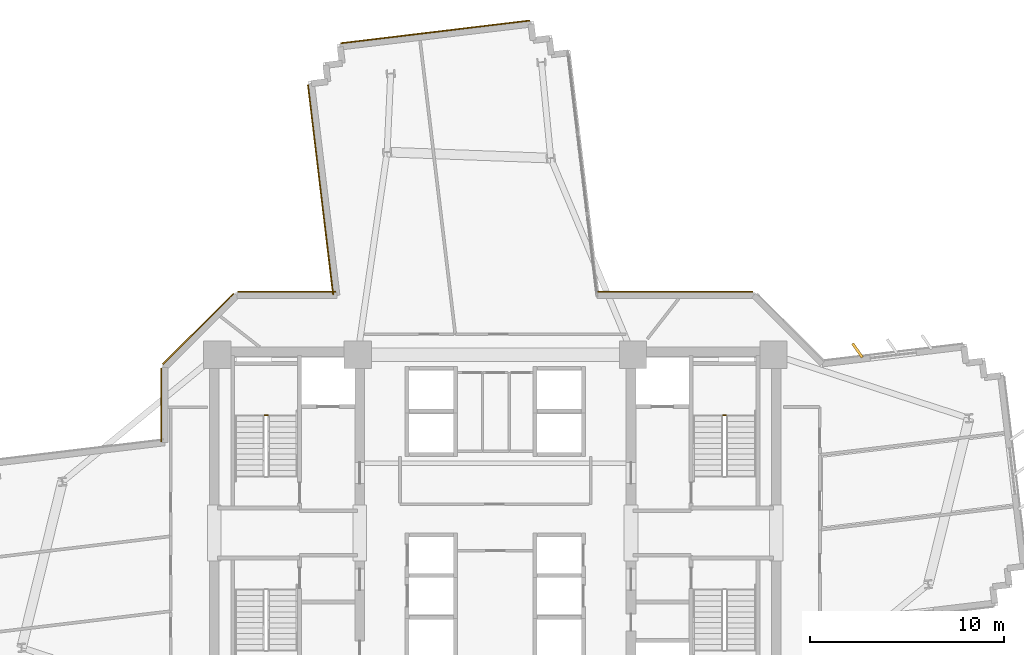
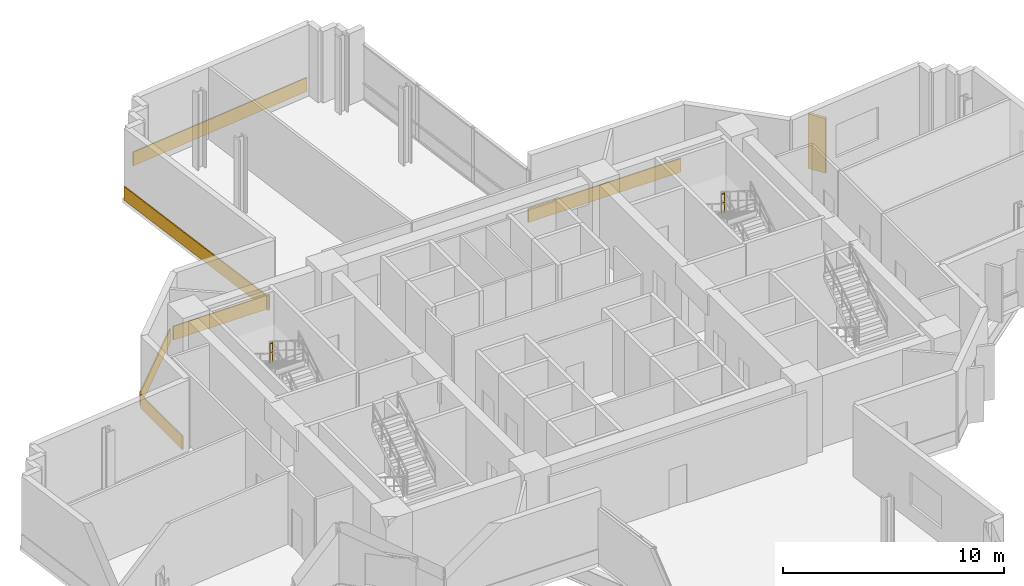
# One storey, part 14 of 15: 7 coverings, 2 railings.
"""IFC4 building model written with IfcOpenShell, lengths in metres."""

from ifc_helpers import new_model, si_unit, direction, frame, origin, origin_2d, place, context, subcontext, project, spatial, rectangle, extrude, source, transform, mapped, material, layer, layer_set, type_object, element, save


model = new_model("IFC4")

# Units and contexts
model_context = context("Model", 3, precision=1e-05, world=origin(), true_north=direction((0.0, 1.0)))
body_context = subcontext(model_context, "Body", "Model", "MODEL_VIEW")
ifc_project = project(units=[si_unit("LENGTHUNIT", "METRE"), si_unit("AREAUNIT", "SQUARE_METRE"), si_unit("VOLUMEUNIT", "CUBIC_METRE"), si_unit("PLANEANGLEUNIT", "RADIAN"), si_unit("MASSUNIT", "GRAM", prefix="KILO")], contexts=[model_context])

# Site, building, storey
site_placement = place(None, origin())
site = spatial("IfcSite", under=ifc_project, at=site_placement, CompositionType="ELEMENT")
building_placement = place(site_placement, origin())
building = spatial("IfcBuilding", under=site, at=building_placement, Name="Zahravan Cultural Tower", CompositionType="ELEMENT")
storey_placement = place(building_placement, frame((0.0, 0.0, 108.89990234375)))
storey = spatial("IfcBuildingStorey", under=building, at=storey_placement, Name="L24", CompositionType="ELEMENT", Elevation=108.89990234375)

# Railings
ifc_material_1 = material(Name="Steel ASTM A572 Grade 50", Category="steel")
railing_type = type_object("IfcRailingType", Name="RL-STAIR-GRD1150", PredefinedType="BALUSTRADE", material=ifc_material_1)
for number, where, name in (
    (1, (24.25, 33.080078125, 2.10009765625), "L24 ST-W1 stair guard 2"),
    (2, (47.89990234375, 33.080078125, 2.10009765625), "L24 ST-E1 stair guard 2"),
):
    element("IfcRailing", number, at=place(storey_placement, frame(where)), inside=storey, type_object=railing_type, Name=name, PredefinedType="BALUSTRADE", context=body_context, shape_type="SweptSolid", body=[
        extrude(rectangle(XDim=0.05, YDim=0.05, at=origin_2d()), frame((0.0, 0.0, 1.0751953125), z_axis=(-1.0, 0.0, 0.0), x_axis=(0.0, -1.0, 0.0)), (0.0, 0.0, 1.0), 0.14990234375),
        extrude(rectangle(XDim=0.032, YDim=0.032, at=origin_2d()), frame((0.0, 0.0, 0.572021484375), z_axis=(-1.0, 0.0, 0.0), x_axis=(0.0, -1.0, 0.0)), (0.0, 0.0, 1.0), 0.14990234375),
        extrude(rectangle(XDim=0.04, YDim=0.04, at=origin_2d()), origin(), (0.0, 0.0, 1.0), 1.10009765625),
        extrude(rectangle(XDim=0.04, YDim=0.04, at=origin_2d()), frame((-0.14990234375, 0.0, 0.0)), (0.0, 0.0, 1.0), 1.10009765625),
    ])

# Coverings
ifc_material_2 = material(Name="Terracotta ceramic cladding", Category="masonry")
ifc_layer = layer(ifc_material_2, 0.06005859375)
ifc_layer_set = layer_set([ifc_layer], Name="Terracotta ceramic cladding")
covering_type = type_object("IfcCoveringType", Name="COV-CLAD-TC60", PredefinedType="CLADDING", material=ifc_layer_set)
shared_shape_1 = source(origin(), body_context, "Body", "SweptSolid", [
    extrude(rectangle(XDim=9.820068359375, YDim=0.06005859375, at=origin_2d()), origin(), (0.0, 0.0, 1.0), 0.760009765625),
])
covering_1_placement = place(storey_placement, frame((32.898193359375, 52.859619140625, 0.02001953125), z_axis=(0.0, 0.0, 1.0), x_axis=(0.992884683056, 0.119079831006, 0.0)))
element("IfcCovering", 3, at=covering_1_placement, inside=storey, type_object=covering_type, Name="L24 Terracotta Spandrel Cladding 46", PredefinedType="CLADDING", context=body_context, shape_type="MappedRepresentation", body=[
    mapped(shared_shape_1, transform((0.0, 0.0, 0.0), x_axis=(1.0, 0.0, 0.0), y_axis=(0.0, 1.0, 0.0), z_axis=(0.0, 0.0, 1.0), scale=1.0)),
])
shared_shape_2 = source(origin(), body_context, "Body", "SweptSolid", [
    extrude(rectangle(XDim=5.157958984375, YDim=0.06005859375, at=origin_2d()), origin(), (0.0, 0.0, 1.0), 0.760009765625),
])
covering_2_placement = place(storey_placement, frame((20.668212890625, 37.53173828125, 0.02001953125), z_axis=(0.0, 0.0, 1.0), x_axis=(0.707106781187, 0.707106781187, 0.0)))
element("IfcCovering", 4, at=covering_2_placement, inside=storey, type_object=covering_type, Name="L24 Terracotta Spandrel Cladding 39", PredefinedType="CLADDING", context=body_context, shape_type="MappedRepresentation", body=[
    mapped(shared_shape_2, transform((0.0, 0.0, 0.0), x_axis=(1.0, 0.0, 0.0), y_axis=(0.0, 1.0, 0.0), z_axis=(0.0, 0.0, 1.0), scale=1.0)),
])
shared_shape_3 = source(origin(), body_context, "Body", "SweptSolid", [
    extrude(rectangle(XDim=0.8798828125, YDim=0.139892578125, at=origin_2d()), origin(), (0.0, 0.0, 1.0), 3.030029296875),
])
covering_3_placement = place(storey_placement, frame((54.68603515625, 36.422607421875, 0.05029296875), z_axis=(0.0, 0.0, 1.0), x_axis=(-0.571286698852, 0.820750575823, 0.0)))
element("IfcCovering", 5, at=covering_3_placement, inside=storey, type_object=covering_type, Name="L24 Herringbone Terracotta Fin 01", PredefinedType="CLADDING", context=body_context, shape_type="MappedRepresentation", body=[
    mapped(shared_shape_3, transform((0.0, 0.0, 0.0), x_axis=(1.0, 0.0, 0.0), y_axis=(0.0, 1.0, 0.0), z_axis=(0.0, 0.0, 1.0), scale=1.0)),
])
shared_shape_4 = source(origin(), body_context, "Body", "SweptSolid", [
    extrude(rectangle(XDim=3.780517578125, YDim=0.06005859375, at=origin_2d()), origin(), (0.0, 0.0, 1.0), 0.760009765625),
])
covering_4_placement = place(storey_placement, frame((18.7548828125, 33.601806640625, 0.02001953125), z_axis=(0.0, 0.0, 1.0), x_axis=(0.0, 1.0, 0.0)))
element("IfcCovering", 6, at=covering_4_placement, inside=storey, type_object=covering_type, Name="L24 Terracotta Spandrel Cladding 38", PredefinedType="CLADDING", context=body_context, shape_type="MappedRepresentation", body=[
    mapped(shared_shape_4, transform((0.0, 0.0, 0.0), x_axis=(1.0, 0.0, 0.0), y_axis=(0.0, 1.0, 0.0), z_axis=(0.0, 0.0, 1.0), scale=1.0)),
])
shared_shape_5 = source(origin(), body_context, "Body", "SweptSolid", [
    extrude(rectangle(XDim=5.063720703125, YDim=0.06005859375, at=origin_2d()), origin(), (0.0, 0.0, 1.0), 0.760009765625),
])
covering_5_placement = place(storey_placement, frame((25.23974609375, 39.445068359375, 0.02001953125), z_axis=(0.0, 0.0, 1.0), x_axis=(1.0, 0.0, 0.0)))
element("IfcCovering", 7, at=covering_5_placement, inside=storey, type_object=covering_type, Name="L24 Terracotta Spandrel Cladding 40", PredefinedType="CLADDING", context=body_context, shape_type="MappedRepresentation", body=[
    mapped(shared_shape_5, transform((0.0, 0.0, 0.0), x_axis=(1.0, 0.0, 0.0), y_axis=(0.0, 1.0, 0.0), z_axis=(0.0, 0.0, 1.0), scale=1.0)),
])
shared_shape_6 = source(origin(), body_context, "Body", "SweptSolid", [
    extrude(rectangle(XDim=10.913330078125, YDim=0.06005859375, at=origin_2d()), origin(), (0.0, 0.0, 1.0), 0.760009765625),
])
covering_6_placement = place(storey_placement, frame((26.982177734375, 44.705322265625, 0.02001953125), z_axis=(0.0, 0.0, 1.0), x_axis=(-0.119097160095, 0.99288260457, 0.0)))
element("IfcCovering", 8, at=covering_6_placement, inside=storey, type_object=covering_type, Name="L24 Terracotta Spandrel Cladding 41", PredefinedType="CLADDING", context=body_context, shape_type="MappedRepresentation", body=[
    mapped(shared_shape_6, transform((0.0, 0.0, 0.0), x_axis=(1.0, 0.0, 0.0), y_axis=(0.0, 1.0, 0.0), z_axis=(0.0, 0.0, 1.0), scale=1.0)),
])
shared_shape_7 = source(origin(), body_context, "Body", "SweptSolid", [
    extrude(rectangle(XDim=8.0048828125, YDim=0.06005859375, at=origin_2d()), origin(), (0.0, 0.0, 1.0), 0.760009765625),
])
covering_7_placement = place(storey_placement, frame((45.28955078125, 39.445068359375, 0.02001953125), z_axis=(0.0, 0.0, 1.0), x_axis=(1.0, 0.0, 0.0)))
element("IfcCovering", 9, at=covering_7_placement, inside=storey, type_object=covering_type, Name="L24 Terracotta Spandrel Cladding 51", PredefinedType="CLADDING", context=body_context, shape_type="MappedRepresentation", body=[
    mapped(shared_shape_7, transform((0.0, 0.0, 0.0), x_axis=(1.0, 0.0, 0.0), y_axis=(0.0, 1.0, 0.0), z_axis=(0.0, 0.0, 1.0), scale=1.0)),
])

save(model, "model.ifc")
